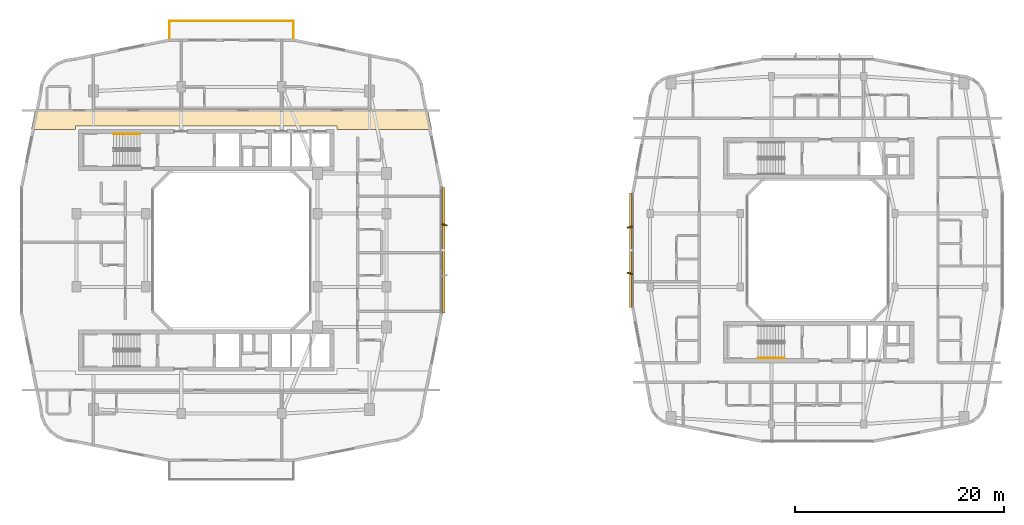
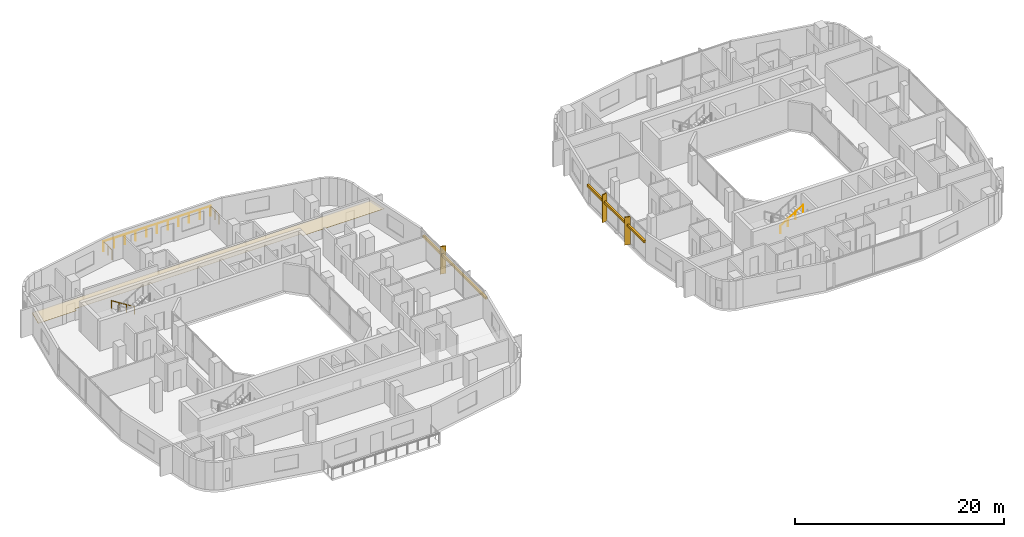
# One storey, part 25 of 26: 5 railings, 5 shading devices, 1 covering.
"""IFC4 building model written with IfcOpenShell, lengths in metres."""

from ifc_helpers import new_model, si_unit, derived_unit, direction, frame, origin, origin_2d, place, context, subcontext, project, spatial, polyline, rectangle, circle, outline, extrude, material, layer, layer_set, type_object, element, save


model = new_model("IFC4")

# Units and contexts
model_context = context("Model", 3, precision=1e-05, world=origin(), true_north=direction((0.0, 1.0)))
body_context = subcontext(model_context, "Body", "Model", "MODEL_VIEW")
ifc_project = project(units=[si_unit("LENGTHUNIT", "METRE"), si_unit("AREAUNIT", "SQUARE_METRE"), si_unit("VOLUMEUNIT", "CUBIC_METRE"), si_unit("PLANEANGLEUNIT", "RADIAN"), si_unit("MASSUNIT", "GRAM", prefix="KILO"), derived_unit("THERMALTRANSMITTANCEUNIT", [(si_unit("POWERUNIT", "WATT"), 1), (si_unit("LENGTHUNIT", "METRE"), -2), (si_unit("THERMODYNAMICTEMPERATUREUNIT", "KELVIN"), -1)])], contexts=[model_context])

# Site, building, storey
site_placement = place(None, origin())
site = spatial("IfcSite", under=ifc_project, at=site_placement, CompositionType="ELEMENT")
building_placement = place(site_placement, origin())
building = spatial("IfcBuilding", under=site, at=building_placement, Name="Kivonza Crest Hotel", CompositionType="ELEMENT")
storey_placement = place(building_placement, frame((0.0, 0.0, 95.0)))
storey = spatial("IfcBuildingStorey", under=building, at=storey_placement, Name="L25", CompositionType="ELEMENT", Elevation=95.0)

# Covering
ifc_material_1 = material(Name="Mineral-fibre acoustic ceiling tile", Category="gypsum")
ifc_layer = layer(ifc_material_1, 0.02490234375)
ifc_layer_set = layer_set([ifc_layer], Name="Mineral-fibre acoustic ceiling tile")
covering_type = type_object("IfcCoveringType", Name="CV-CEIL-ACOU", PredefinedType="CEILING", material=ifc_layer_set)
covering_placement = place(storey_placement, frame((0.0, 0.0, 2.449951171875)))
element("IfcCovering", 1, at=covering_placement, inside=storey, type_object=covering_type, Name="L25 Hotel North Guest Corridor suspended ceiling", PredefinedType="CEILING", context=body_context, shape_type="SweptSolid", body=[
    extrude(outline(polyline([(2.235107421875, 38.389892578125), (1.85791015625, 36.52001953125), (6.10009765625, 36.52001953125), (6.10009765625, 36.860107421875), (31.10009765625, 36.860107421875), (31.10009765625, 36.52001953125), (40.14208984375, 36.52001953125), (39.764892578125, 38.389892578125), (2.235107421875, 38.389892578125)])), origin(), (0.0, 0.0, 1.0), 0.025146484375),
])

# Railings
ifc_material_2 = material(Name="Brushed stainless steel handrail", Category="steel")
railing_type_1 = type_object("IfcRailingType", Name="RL-HAND-900", PredefinedType="HANDRAIL", material=ifc_material_2)
railing_1_placement = place(storey_placement, frame((12.239990234375, 36.110107421875, 0.175048828125)))
element("IfcRailing", 2, at=railing_1_placement, inside=storey, type_object=railing_type_1, Name="L25 ST-T1-N stair handrail 1", PredefinedType="HANDRAIL", context=body_context, shape_type="SweptSolid", body=[
    extrude(circle(Radius=0.02392578125, at=origin_2d()), frame((0.0, 0.0, 0.8759765625), z_axis=(-0.848007534815, 0.0, 0.529984170421), x_axis=(0.0, -1.0, 0.0)), (0.0, 0.0, 1.0), 2.9716796875),
    extrude(circle(Radius=0.02099609375, at=origin_2d()), origin(), (0.0, 0.0, 1.0), 0.851806640625),
    extrude(circle(Radius=0.02099609375, at=origin_2d()), frame((-0.840087890625, 0.0, 0.52490234375)), (0.0, 0.0, 1.0), 0.851806640625),
    extrude(circle(Radius=0.02099609375, at=origin_2d()), frame((-1.679931640625, 0.0, 1.050048828125)), (0.0, 0.0, 1.0), 0.851806640625),
    extrude(circle(Radius=0.02099609375, at=origin_2d()), frame((-2.52001953125, 0.0, 1.574951171875)), (0.0, 0.0, 1.0), 0.851806640625),
])
railing_2_placement = place(storey_placement, frame((71.320068359375, 14.7099609375, 1.925048828125)))
element("IfcRailing", 3, at=railing_2_placement, inside=storey, type_object=railing_type_1, Name="L25 ST-T2-S stair handrail 2", PredefinedType="HANDRAIL", context=body_context, shape_type="SweptSolid", body=[
    extrude(circle(Radius=0.02392578125, at=origin_2d()), frame((0.0, 0.0, 0.8759765625), z_axis=(0.848007534815, 0.0, 0.529984170421), x_axis=(0.0, 1.0, 0.0)), (0.0, 0.0, 1.0), 2.9716796875),
    extrude(circle(Radius=0.02099609375, at=origin_2d()), origin(), (0.0, 0.0, 1.0), 0.851806640625),
    extrude(circle(Radius=0.02099609375, at=origin_2d()), frame((0.840087890625, 0.0, 0.52490234375)), (0.0, 0.0, 1.0), 0.851806640625),
    extrude(circle(Radius=0.02099609375, at=origin_2d()), frame((1.679931640625, 0.0, 1.050048828125)), (0.0, 0.0, 1.0), 0.851806640625),
    extrude(circle(Radius=0.02099609375, at=origin_2d()), frame((2.52001953125, 0.0, 1.574951171875)), (0.0, 0.0, 1.0), 0.851806640625),
])
ifc_material_3 = material(Name="Laminated glass and stainless steel balustrade", Category="steel")
railing_type_2 = type_object("IfcRailingType", Name="RL-TERR-1150", PredefinedType="BALUSTRADE", material=ifc_material_3)
railing_3_placement = place(storey_placement, frame((15.080078125, 45.280029296875, 0.0)))
element("IfcRailing", 4, at=railing_3_placement, inside=storey, type_object=railing_type_2, Name="L25 T1-L25-TN perimeter safety balustrade 1", PredefinedType="BALUSTRADE", context=body_context, shape_type="SweptSolid", body=[
    extrude(circle(Radius=0.02392578125, at=origin_2d()), frame((0.0, 0.0, 1.1259765625), z_axis=(0.0, 1.0, 0.0), x_axis=(-1.0, 0.0, 0.0)), (0.0, 0.0, 1.0), 1.639892578125),
    extrude(circle(Radius=0.02099609375, at=origin_2d()), origin(), (0.0, 0.0, 1.0), 1.101806640625),
    extrude(circle(Radius=0.02099609375, at=origin_2d()), frame((0.0, 0.81982421875, 0.0)), (0.0, 0.0, 1.0), 1.101806640625),
    extrude(circle(Radius=0.02099609375, at=origin_2d()), frame((0.0, 1.639892578125, 0.0)), (0.0, 0.0, 1.0), 1.101806640625),
])
railing_4_placement = place(storey_placement, frame((15.080078125, 46.919921875, 0.0)))
element("IfcRailing", 5, at=railing_4_placement, inside=storey, type_object=railing_type_2, Name="L25 T1-L25-TN perimeter safety balustrade 2", PredefinedType="BALUSTRADE", context=body_context, shape_type="SweptSolid", body=[
    extrude(circle(Radius=0.02392578125, at=origin_2d()), frame((0.0, 0.0, 1.1259765625), z_axis=(1.0, 0.0, 0.0), x_axis=(0.0, 1.0, 0.0)), (0.0, 0.0, 1.0), 11.83984375),
    extrude(circle(Radius=0.02099609375, at=origin_2d()), origin(), (0.0, 0.0, 1.0), 1.101806640625),
    extrude(circle(Radius=0.02099609375, at=origin_2d()), frame((1.18408203125, 0.0, 0.0)), (0.0, 0.0, 1.0), 1.101806640625),
    extrude(circle(Radius=0.02099609375, at=origin_2d()), frame((2.367919921875, 0.0, 0.0)), (0.0, 0.0, 1.0), 1.101806640625),
    extrude(circle(Radius=0.02099609375, at=origin_2d()), frame((3.552001953125, 0.0, 0.0)), (0.0, 0.0, 1.0), 1.101806640625),
    extrude(circle(Radius=0.02099609375, at=origin_2d()), frame((4.73583984375, 0.0, 0.0)), (0.0, 0.0, 1.0), 1.101806640625),
    extrude(circle(Radius=0.02099609375, at=origin_2d()), frame((5.919921875, 0.0, 0.0)), (0.0, 0.0, 1.0), 1.101806640625),
    extrude(circle(Radius=0.02099609375, at=origin_2d()), frame((7.10400390625, 0.0, 0.0)), (0.0, 0.0, 1.0), 1.101806640625),
    extrude(circle(Radius=0.02099609375, at=origin_2d()), frame((8.287841796875, 0.0, 0.0)), (0.0, 0.0, 1.0), 1.101806640625),
    extrude(circle(Radius=0.02099609375, at=origin_2d()), frame((9.471923828125, 0.0, 0.0)), (0.0, 0.0, 1.0), 1.101806640625),
    extrude(circle(Radius=0.02099609375, at=origin_2d()), frame((10.65576171875, 0.0, 0.0)), (0.0, 0.0, 1.0), 1.101806640625),
    extrude(circle(Radius=0.02099609375, at=origin_2d()), frame((11.83984375, 0.0, 0.0)), (0.0, 0.0, 1.0), 1.101806640625),
])
railing_5_placement = place(storey_placement, frame((26.919921875, 46.919921875, 0.0)))
element("IfcRailing", 6, at=railing_5_placement, inside=storey, type_object=railing_type_2, Name="L25 T1-L25-TN perimeter safety balustrade 3", PredefinedType="BALUSTRADE", context=body_context, shape_type="SweptSolid", body=[
    extrude(circle(Radius=0.02392578125, at=origin_2d()), frame((0.0, 0.0, 1.1259765625), z_axis=(0.0, -1.0, 0.0), x_axis=(1.0, 0.0, 0.0)), (0.0, 0.0, 1.0), 1.639892578125),
    extrude(circle(Radius=0.02099609375, at=origin_2d()), origin(), (0.0, 0.0, 1.0), 1.101806640625),
    extrude(circle(Radius=0.02099609375, at=origin_2d()), frame((0.0, -0.81982421875, 0.0)), (0.0, 0.0, 1.0), 1.101806640625),
    extrude(circle(Radius=0.02099609375, at=origin_2d()), frame((0.0, -1.639892578125, 0.0)), (0.0, 0.0, 1.0), 1.101806640625),
])

# Shading devices
ifc_material_4 = material(Name="Kiln-fired Nairobi red-ochre terracotta", Category="masonry")
shading_device_type_1 = type_object("IfcShadingDeviceType", Name="SH-BAGUETTE-300", PredefinedType="USERDEFINED", material=ifc_material_4)
shading_device_1_placement = place(storey_placement, frame((41.280029296875, 25.0, 2.1240234375), z_axis=(0.0, 0.0, 1.0), x_axis=(0.0, 1.0, 0.0)))
element("IfcShadingDevice", 7, at=shading_device_1_placement, inside=storey, type_object=shading_device_type_1, Name="L25 terracotta baguette screen CW-T1-L25-17", ObjectType="BAGUETTE", PredefinedType="USERDEFINED", context=body_context, shape_type="SweptSolid", body=[
    extrude(rectangle(XDim=12.0, YDim=0.219970703125, at=origin_2d()), origin(), (0.0, 0.0, 1.0), 0.260009765625),
])
shading_device_2_placement = place(storey_placement, frame((59.1201171875, 25.0, 2.14501953125), z_axis=(0.0, 0.0, 1.0), x_axis=(0.0, -1.0, 0.0)))
element("IfcShadingDevice", 8, at=shading_device_2_placement, inside=storey, type_object=shading_device_type_1, Name="L25 terracotta baguette screen CW-T2-L25-35", ObjectType="BAGUETTE", PredefinedType="USERDEFINED", context=body_context, shape_type="SweptSolid", body=[
    extrude(rectangle(XDim=10.919921875, YDim=0.219970703125, at=origin_2d()), origin(), (0.0, 0.0, 1.0), 0.260009765625),
])
ifc_material_5 = material(Name="Kiln-fired terracotta over extruded aluminium spine", Category="masonry")
shading_device_type_2 = type_object("IfcShadingDeviceType", Name="SH-FIN-550", PredefinedType="USERDEFINED", material=ifc_material_5)
shading_device_3_placement = place(storey_placement, frame((41.340087890625, 27.424072265625, 0.0), z_axis=(0.0, 0.0, 1.0), x_axis=(0.2419218956, 0.970295726276, 0.0)))
element("IfcShadingDevice", 9, at=shading_device_3_placement, inside=storey, type_object=shading_device_type_2, Name="L25 vertical solar shading fin CW-T1-L25-17-2", ObjectType="FIN", PredefinedType="USERDEFINED", context=body_context, shape_type="SweptSolid", body=[
    extrude(rectangle(XDim=0.1201171875, YDim=0.550048828125, at=origin_2d()), origin(), (0.0, 0.0, 1.0), 3.219970703125),
])
for number, where, z_axis, x_axis, name in (
    (10, (59.06005859375, 27.2080078125, 0.0), (0.0, 0.0, 1.0), (0.2419218956, -0.970295726276, 0.0), "L25 vertical solar shading fin CW-T2-L25-35-1"),
    (11, (59.06005859375, 22.7919921875, 0.0), (0.0, 0.0, 1.0), (-0.2419218956, -0.970295726276, 0.0), "L25 vertical solar shading fin CW-T2-L25-35-2"),
):
    element("IfcShadingDevice", number, at=place(storey_placement, frame(where, z_axis=z_axis, x_axis=x_axis)), inside=storey, type_object=shading_device_type_2, Name=name, ObjectType="FIN", PredefinedType="USERDEFINED", context=body_context, shape_type="SweptSolid", body=[
        extrude(rectangle(XDim=0.1201171875, YDim=0.550048828125, at=origin_2d()), origin(), (0.0, 0.0, 1.0), 3.25),
    ])

save(model, "model.ifc")
